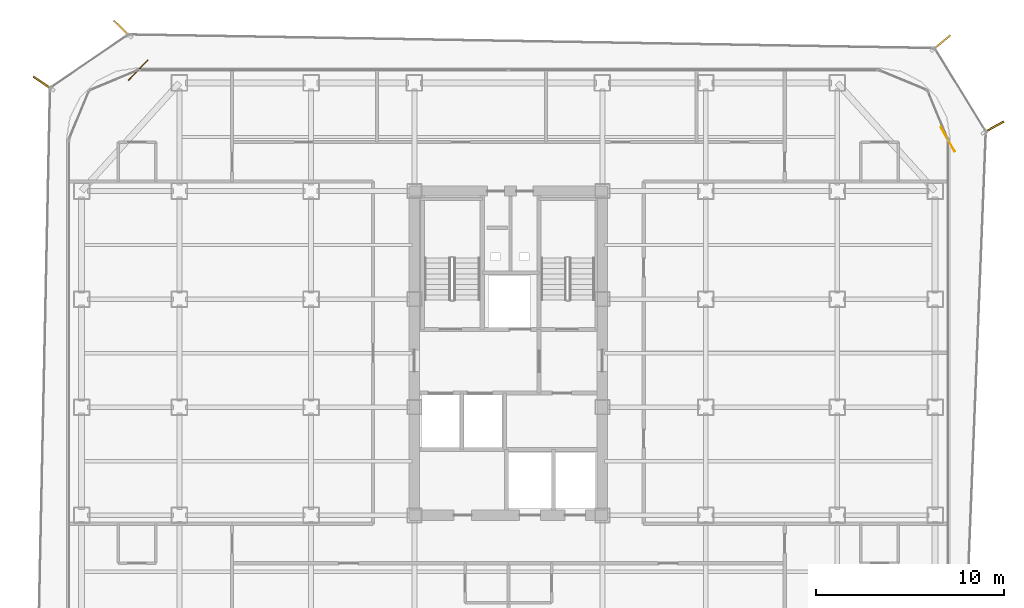
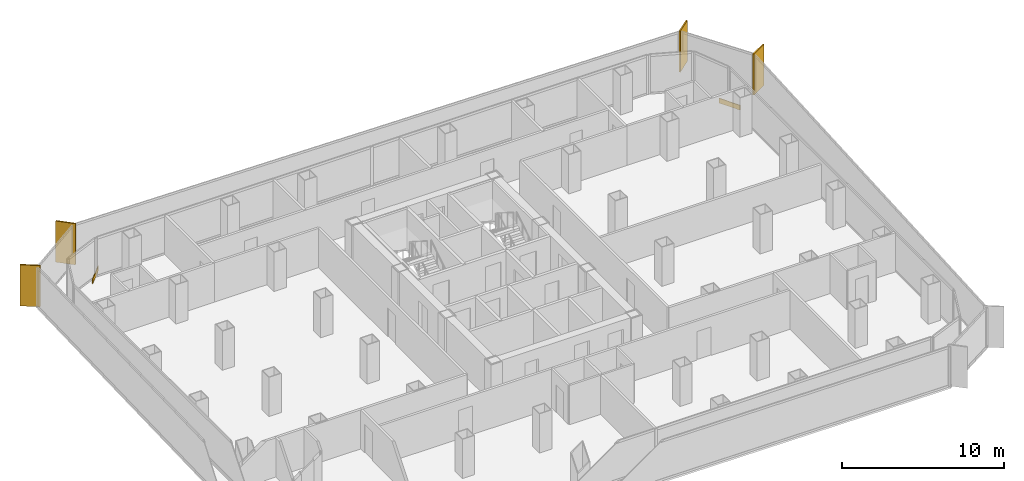
# One storey, part 21 of 21: 4 shading devices, 2 coverings.
"""IFC4 building model written with IfcOpenShell, lengths in metres."""

from ifc_helpers import new_model, si_unit, direction, frame, origin, origin_2d, place, context, subcontext, project, spatial, rectangle, extrude, source, transform, mapped, material, layer, layer_set, type_object, element, save


model = new_model("IFC4")

# Units and contexts
model_context = context("Model", 3, precision=1e-05, world=origin(), true_north=direction((0.0, 1.0)))
body_context = subcontext(model_context, "Body", "Model", "MODEL_VIEW")
ifc_project = project(units=[si_unit("LENGTHUNIT", "METRE"), si_unit("AREAUNIT", "SQUARE_METRE"), si_unit("VOLUMEUNIT", "CUBIC_METRE"), si_unit("PLANEANGLEUNIT", "RADIAN"), si_unit("MASSUNIT", "GRAM", prefix="KILO")], contexts=[model_context])

# Site, building, storey
site_placement = place(None, origin())
site = spatial("IfcSite", under=ifc_project, at=site_placement, CompositionType="ELEMENT")
building_placement = place(site_placement, origin())
building = spatial("IfcBuilding", under=site, at=building_placement, Name="Kolveth Station Tower", CompositionType="ELEMENT")
storey_placement = place(building_placement, frame((0.0, 0.0, 137.5)))
storey = spatial("IfcBuildingStorey", under=building, at=storey_placement, Name="L38", CompositionType="ELEMENT", Elevation=137.5)

# Shading devices
ifc_material_1 = material(Name="Black anodized aluminium 6063-T6", Category="aluminium")
shading_device_type = type_object("IfcShadingDeviceType", Name="FIN_VF1", PredefinedType="USERDEFINED", material=ifc_material_1)
shared_shape_1 = source(origin(), body_context, "Body", "SweptSolid", [
    extrude(rectangle(XDim=1.25, YDim=0.090087890625, at=origin_2d()), origin(), (0.0, 0.0, 1.0), 3.10009765625),
])
for number, where, z_axis, x_axis, name in (
    (1, (49.298095703125, 32.139892578125, 0.0), (0.0, 0.0, 1.0), (0.871898392604, 0.48968683153, 0.0), "L38 Dark-Aluminium Solar Fin 3"),
    (2, (46.529052734375, 36.635986328125, 0.0), (0.0, 0.0, 1.0), (0.771624583388, 0.636078220278, 0.0), "L38 Dark-Aluminium Solar Fin 4"),
    (3, (2.958984375, 37.384033203125, 0.0), (0.0, 0.0, 1.0), (-0.721155944485, 0.692772764861, 0.0), "L38 Dark-Aluminium Solar Fin 5"),
    (4, (-1.248046875, 34.490966796875, 0.0), (0.0, 0.0, 1.0), (-0.826687964527, 0.562660651997, 0.0), "L38 Dark-Aluminium Solar Fin 6"),
):
    element("IfcShadingDevice", number, at=place(storey_placement, frame(where, z_axis=z_axis, x_axis=x_axis)), inside=storey, type_object=shading_device_type, Name=name, ObjectType="FIN", PredefinedType="USERDEFINED", context=body_context, shape_type="MappedRepresentation", body=[
        mapped(shared_shape_1, transform((0.0, 0.0, 0.0), x_axis=(1.0, 0.0, 0.0), y_axis=(0.0, 1.0, 0.0), z_axis=(0.0, 0.0, 1.0), scale=1.0)),
    ])

# Coverings
ifc_material_2 = material(Name="Charcoal anodized aluminium spandrel cladding", Category="aluminium")
ifc_layer = layer(ifc_material_2, 0.044921875)
ifc_layer_set = layer_set([ifc_layer], Name="Charcoal anodized aluminium spandrel cladding")
covering_type = type_object("IfcCoveringType", Name="Clad_CD1", PredefinedType="CLADDING", material=ifc_layer_set)
shared_shape_2 = source(origin(), body_context, "Body", "SweptSolid", [
    extrude(rectangle(XDim=1.5, YDim=0.044921875, at=origin_2d()), origin(), (0.0, 0.0, 1.0), 0.360107421875),
])
for number, where, z_axis, x_axis, name in (
    (5, (46.8798828125, 31.5, 0.0), (0.0, 0.0, 1.0), (-0.48968683153, 0.871898392604, 0.0), "L38 Spandrel Edge Cladding 3"),
    (6, (3.800048828125, 35.179931640625, 0.0), (0.0, 0.0, 1.0), (-0.692772764861, -0.721155944485, 0.0), "L38 Spandrel Edge Cladding 5"),
):
    element("IfcCovering", number, at=place(storey_placement, frame(where, z_axis=z_axis, x_axis=x_axis)), inside=storey, type_object=covering_type, Name=name, PredefinedType="CLADDING", context=body_context, shape_type="MappedRepresentation", body=[
        mapped(shared_shape_2, transform((0.0, 0.0, 0.0), x_axis=(1.0, 0.0, 0.0), y_axis=(0.0, 1.0, 0.0), z_axis=(0.0, 0.0, 1.0), scale=1.0)),
    ])

save(model, "model.ifc")
